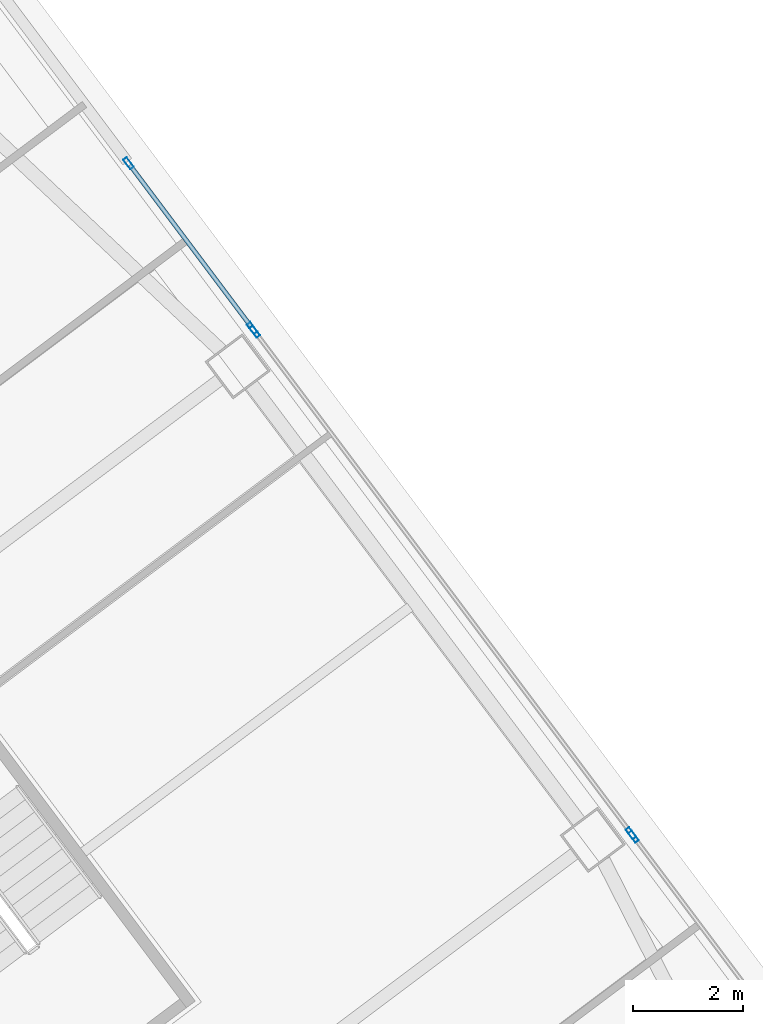
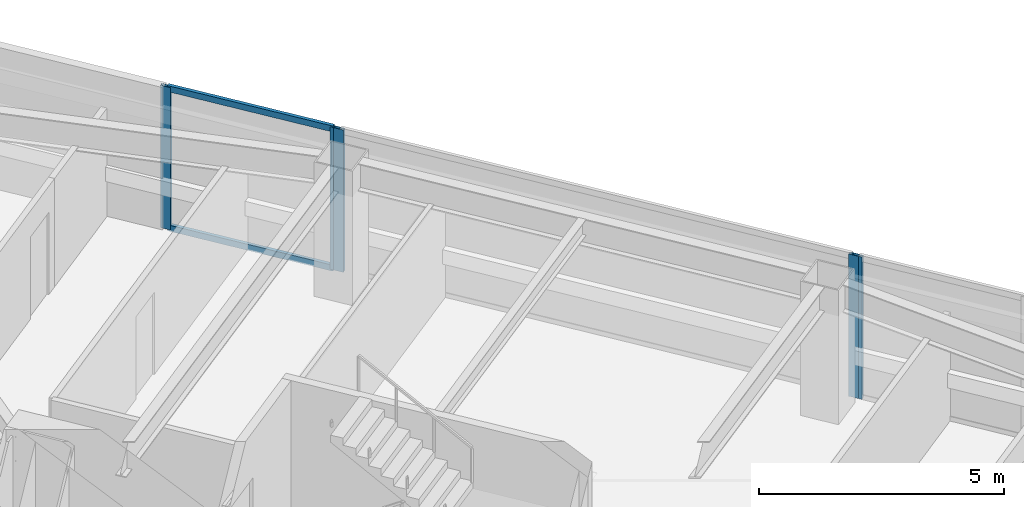
# One storey, part 34 of 48: 7 members, 3 elements without a shape of their own.
"""IFC4 building model written with IfcOpenShell, lengths in metres."""

from ifc_helpers import new_model, si_unit, direction, frame, origin, origin_2d, place, context, subcontext, project, spatial, hollow_rectangle, extrude, material, material_profile, profile_set, type_object, element, aggregate, save


model = new_model("IFC4")

# Units and contexts
model_context = context("Model", 3, precision=1e-05, world=origin(), true_north=direction((0.0, 1.0)))
body_context = subcontext(model_context, "Body", "Model", "MODEL_VIEW")
ifc_project = project(units=[si_unit("LENGTHUNIT", "METRE"), si_unit("AREAUNIT", "SQUARE_METRE"), si_unit("VOLUMEUNIT", "CUBIC_METRE"), si_unit("PLANEANGLEUNIT", "RADIAN"), si_unit("MASSUNIT", "GRAM", prefix="KILO")], contexts=[model_context])

# Site, building, storey
site_placement = place(None, origin())
site = spatial("IfcSite", under=ifc_project, at=site_placement, CompositionType="ELEMENT")
building_placement = place(site_placement, origin())
building = spatial("IfcBuilding", under=site, at=building_placement, Name="Tashvorn Skyway Center", CompositionType="ELEMENT")
storey_placement = place(building_placement, frame((0.0, 0.0, 77.85009765625)))
storey = spatial("IfcBuildingStorey", under=building, at=storey_placement, Name="L20", CompositionType="ELEMENT", Elevation=77.85009765625)

# Curtain wall, members
ifc_material = material(Name="Thermally broken bronze-anodized aluminium 6063-T6", Category="aluminium")
curtain_wall_type = type_object("IfcCurtainWallType", Name="CW-CW-Z2", PredefinedType="NOTDEFINED", material=ifc_material)
curtain_wall_1_placement = place(storey_placement, origin())
curtain_wall_1 = element("IfcCurtainWall", 1, at=curtain_wall_1_placement, inside=storey, type_object=curtain_wall_type, Name="Tower 2 L20 East Unitised Curtain Wall Glazing Group 2", PredefinedType="NOTDEFINED")
ifc_material_profile_1 = material_profile(ifc_material, hollow_rectangle(XDim=0.080078125, YDim=0.219970703125, WallThickness=0.0048828125, at=origin_2d()), Name="ALU-MULL-80x220")
ifc_profile_set_1 = profile_set([ifc_material_profile_1], Name="Thermally broken bronze-anodized aluminium 6063-T6")
member_type_1 = type_object("IfcMemberType", Name="CWM-CW-Z2", PredefinedType="MULLION", material=ifc_profile_set_1)
member_1_placement = place(storey_placement, frame((124.16796875, 51.575927734375, 0.0), z_axis=(0.0, 0.0, 1.0), x_axis=(0.799999999998, 0.600000000002, 0.0)))
member_1 = element("IfcMember", 2, at=member_1_placement, type_object=member_type_1, Name="CW-Z2 mullion 1", PredefinedType="MULLION", context=body_context, shape_type="SweptSolid", body=[
    extrude(hollow_rectangle(XDim=0.080078125, YDim=0.219970703125, WallThickness=0.0048828125, at=origin_2d()), origin(), (0.0, 0.0, 1.0), 3.5498046875),
])
member_2_placement = place(storey_placement, frame((126.424072265625, 48.568115234375, 0.0), z_axis=(0.0, 0.0, 1.0), x_axis=(0.799999999998, 0.600000000002, 0.0)))
member_2 = element("IfcMember", 3, at=member_2_placement, type_object=member_type_1, Name="CW-Z2 mullion 2", PredefinedType="MULLION", context=body_context, shape_type="SweptSolid", body=[
    extrude(hollow_rectangle(XDim=0.080078125, YDim=0.219970703125, WallThickness=0.0048828125, at=origin_2d()), origin(), (0.0, 0.0, 1.0), 3.5498046875),
])

curtain_wall_2_placement = place(storey_placement, origin())
curtain_wall_2 = element("IfcCurtainWall", 4, at=curtain_wall_2_placement, inside=storey, type_object=curtain_wall_type, Name="Tower 2 L20 East Unitised Curtain Wall Glazing Group 3", PredefinedType="NOTDEFINED")
member_3_placement = place(storey_placement, frame((126.471923828125, 48.50390625, 0.0), z_axis=(0.0, 0.0, 1.0), x_axis=(0.799999999998, 0.600000000002, 0.0)))
member_3 = element("IfcMember", 5, at=member_3_placement, type_object=member_type_1, Name="CW-Z2 mullion 1", PredefinedType="MULLION", context=body_context, shape_type="SweptSolid", body=[
    extrude(hollow_rectangle(XDim=0.080078125, YDim=0.219970703125, WallThickness=0.0048828125, at=origin_2d()), origin(), (0.0, 0.0, 1.0), 3.5498046875),
])
member_4_placement = place(storey_placement, frame((133.3359375, 39.35205078125, 0.0), z_axis=(0.0, 0.0, 1.0), x_axis=(0.799999999998, 0.600000000002, 0.0)))
member_4 = element("IfcMember", 6, at=member_4_placement, type_object=member_type_1, Name="CW-Z2 mullion 2", PredefinedType="MULLION", context=body_context, shape_type="SweptSolid", body=[
    extrude(hollow_rectangle(XDim=0.080078125, YDim=0.219970703125, WallThickness=0.0048828125, at=origin_2d()), origin(), (0.0, 0.0, 1.0), 3.5498046875),
])
aggregate(curtain_wall_2, [member_3, member_4])

# Curtain wall, member
curtain_wall_3_placement = place(storey_placement, origin())
curtain_wall_3 = element("IfcCurtainWall", 7, at=curtain_wall_3_placement, inside=storey, type_object=curtain_wall_type, Name="Tower 2 L20 East Unitised Curtain Wall Glazing Group 4", PredefinedType="NOTDEFINED")
member_5_placement = place(storey_placement, frame((133.384033203125, 39.2880859375, 0.0), z_axis=(0.0, 0.0, 1.0), x_axis=(0.799999999998, 0.600000000002, 0.0)))
member_5 = element("IfcMember", 8, at=member_5_placement, type_object=member_type_1, Name="CW-Z2 mullion 1", PredefinedType="MULLION", context=body_context, shape_type="SweptSolid", body=[
    extrude(hollow_rectangle(XDim=0.080078125, YDim=0.219970703125, WallThickness=0.0048828125, at=origin_2d()), origin(), (0.0, 0.0, 1.0), 3.5498046875),
])
aggregate(curtain_wall_3, [member_5])

# Member
ifc_material_profile_2 = material_profile(ifc_material, hollow_rectangle(XDim=0.080078125, YDim=0.14990234375, WallThickness=0.00439453125, at=origin_2d()), Name="ALU-TRAN-80x150")
ifc_profile_set_2 = profile_set([ifc_material_profile_2], Name="Thermally broken bronze-anodized aluminium 6063-T6")
member_type_2 = type_object("IfcMemberType", Name="CWT-CW-Z2", PredefinedType="USERDEFINED", material=ifc_profile_set_2)
member_6_placement = place(storey_placement, frame((124.19189453125, 51.5439453125, 0.039794921875), z_axis=(0.600021230084, -0.799984076997, 0.0), x_axis=(0.799984076997, 0.600021230084, 0.0)))
member_6 = element("IfcMember", 9, at=member_6_placement, type_object=member_type_2, Name="CW-Z2 transom 1.1", ObjectType="TRANSOM", PredefinedType="USERDEFINED", context=body_context, shape_type="SweptSolid", body=[
    extrude(hollow_rectangle(XDim=0.080078125, YDim=0.14990234375, WallThickness=0.00439453125, at=origin_2d()), origin(), (0.0, 0.0, 1.0), 3.679931640625),
])

member_7_placement = place(storey_placement, frame((124.19189453125, 51.5439453125, 3.510009765625), z_axis=(0.600021230084, -0.799984076997, 0.0), x_axis=(0.799984076997, 0.600021230084, 0.0)))
member_7 = element("IfcMember", 10, at=member_7_placement, type_object=member_type_2, Name="CW-Z2 transom 1.2", ObjectType="TRANSOM", PredefinedType="USERDEFINED", context=body_context, shape_type="SweptSolid", body=[
    extrude(hollow_rectangle(XDim=0.080078125, YDim=0.14990234375, WallThickness=0.00439453125, at=origin_2d()), origin(), (0.0, 0.0, 1.0), 3.679931640625),
])

aggregate(curtain_wall_1, [member_1, member_2, member_6, member_7])

save(model, "model.ifc")
